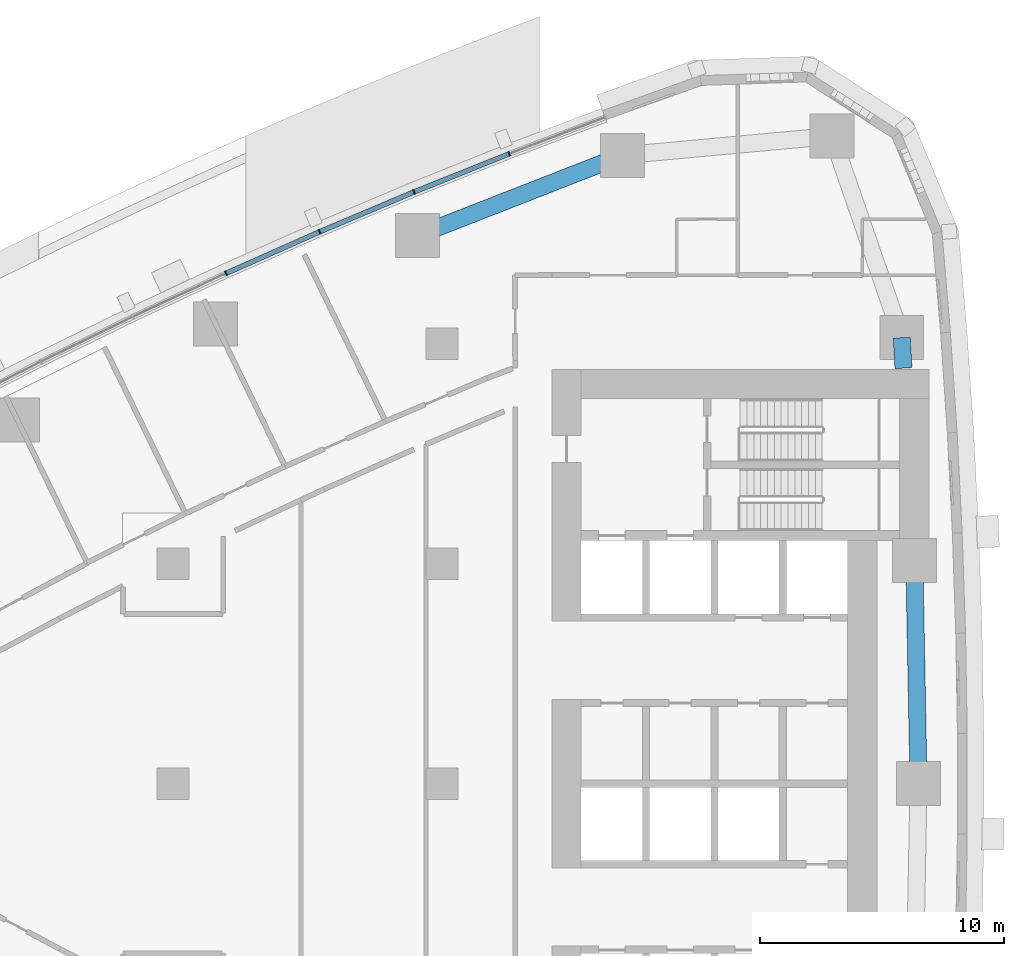
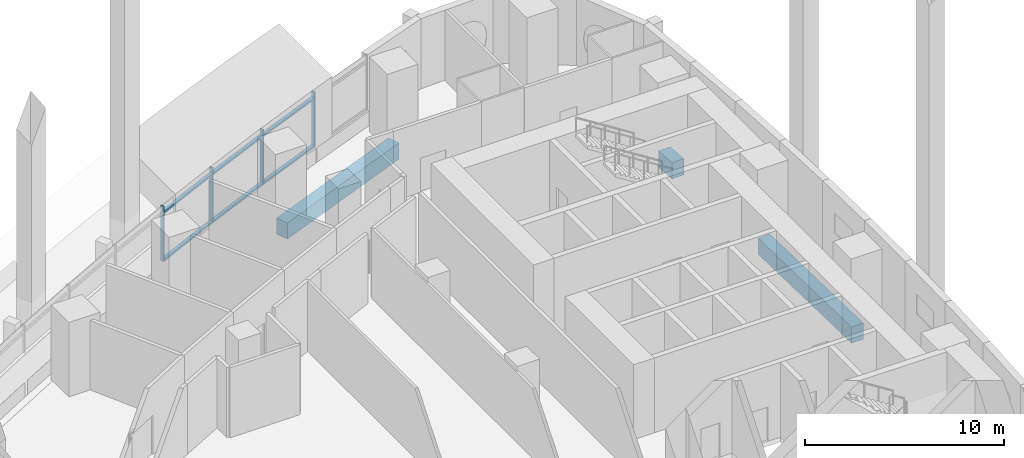
# One storey, part 6 of 20: 10 members, 3 beams, 2 elements without a shape of their own.
"""IFC4 building model written with IfcOpenShell, lengths in metres."""

from ifc_helpers import new_model, si_unit, direction, frame, origin, origin_2d, place, context, subcontext, project, spatial, rectangle, extrude, material, layer, layer_set, material_profile, profile_set, type_object, element, aggregate, save


model = new_model("IFC4")

# Units and contexts
model_context = context("Model", 3, precision=1e-05, world=origin(), true_north=direction((0.0, 1.0)))
body_context = subcontext(model_context, "Body", "Model", "MODEL_VIEW")
ifc_project = project(units=[si_unit("LENGTHUNIT", "METRE"), si_unit("AREAUNIT", "SQUARE_METRE"), si_unit("VOLUMEUNIT", "CUBIC_METRE"), si_unit("PLANEANGLEUNIT", "RADIAN"), si_unit("MASSUNIT", "GRAM", prefix="KILO")], contexts=[model_context])

# Site, building, storey
site_placement = place(None, origin())
site = spatial("IfcSite", under=ifc_project, at=site_placement, CompositionType="ELEMENT")
building_placement = place(site_placement, origin())
building = spatial("IfcBuilding", under=site, at=building_placement, Name="Ostrand Prow Hotel Tower", CompositionType="ELEMENT")
storey_placement = place(building_placement, frame((0.0, 0.0, 35.0)))
storey = spatial("IfcBuildingStorey", under=building, at=storey_placement, Name="L06", CompositionType="ELEMENT", Elevation=35.0)

# Beams
ifc_material_1 = material(Name="Concrete C80/95", Category="concrete")
ifc_material_profile_1 = material_profile(ifc_material_1, rectangle(XDim=0.699951171875, YDim=1.0, at=origin_2d()), Name="RC 700x1000")
ifc_profile_set_1 = profile_set([ifc_material_profile_1], Name="Concrete C80/95")
beam_type = type_object("IfcBeamType", Name="Edge beam 700x1000 C80/95", PredefinedType="SPANDREL", material=ifc_profile_set_1)
beam_1_placement = place(storey_placement, frame((64.5, 0.0, -0.800048828125), z_axis=(-0.018793471688, 0.999823387115, 0.0), x_axis=(-0.999823387115, -0.018793471688, 0.0)))
element("IfcBeam", 1, at=beam_1_placement, inside=storey, type_object=beam_type, Name="Edge beam B3-B4", PredefinedType="SPANDREL", context=body_context, shape_type="SweptSolid", body=[
    extrude(rectangle(XDim=0.699951171875, YDim=1.0, at=origin_2d()), origin(), (0.0, 0.0, 1.0), 9.132568359375),
])
beam_2_placement = place(storey_placement, frame((63.8837890625, 17.0, -0.800048828125), z_axis=(-0.056215946509, 0.998418633319, 0.0), x_axis=(-0.998418633319, -0.056215946509, 0.0)))
element("IfcBeam", 2, at=beam_2_placement, inside=storey, type_object=beam_type, Name="Edge beam B4-B5", PredefinedType="SPANDREL", context=body_context, shape_type="SweptSolid", body=[
    extrude(rectangle(XDim=0.699951171875, YDim=1.0, at=origin_2d()), origin(), (0.0, 0.0, 1.0), 1.250732421875),
])
beam_3_placement = place(storey_placement, frame((52.3916015625, 25.710205078125, -0.800048828125), z_axis=(-0.931329480916, -0.364177701098, 0.0), x_axis=(0.364177701098, -0.931329480916, 0.0)))
element("IfcBeam", 3, at=beam_3_placement, inside=storey, type_object=beam_type, Name="Edge beam N1-N2", PredefinedType="SPANDREL", context=body_context, shape_type="SweptSolid", body=[
    extrude(rectangle(XDim=0.699951171875, YDim=1.0, at=origin_2d()), origin(), (0.0, 0.0, 1.0), 9.0126953125),
])

# Curtain wall, members
ifc_material_2 = material(Name="Insulated glass in bronze anodised frame", Category="glass")
ifc_layer = layer(ifc_material_2, 0.199951171875)
ifc_layer_set = layer_set([ifc_layer], Name="Insulated glass in bronze anodised frame")
curtain_wall_type = type_object("IfcCurtainWallType", Name="Sky lobby full-height curtain wall", PredefinedType="NOTDEFINED", material=ifc_layer_set)
curtain_wall_1_placement = place(storey_placement, origin())
curtain_wall_1 = element("IfcCurtainWall", 4, at=curtain_wall_1_placement, inside=storey, type_object=curtain_wall_type, Name="CW3 run CWN1", PredefinedType="NOTDEFINED")
ifc_material_3 = material(Name="Bronze anodised aluminium", Category="aluminium")
ifc_material_profile_2 = material_profile(ifc_material_3, rectangle(XDim=0.199951171875, YDim=0.06005859375, at=origin_2d()), Name="Mullion 60x200 bronze anodised aluminium")
ifc_profile_set_2 = profile_set([ifc_material_profile_2], Name="Bronze anodised aluminium")
member_type_1 = type_object("IfcMemberType", Name="Mullion 60x200 bronze anodised aluminium", PredefinedType="MULLION", material=ifc_profile_set_2)
member_1_placement = place(storey_placement, frame((47.7529296875, 25.769775390625, 0.89990234375), z_axis=(0.0, 0.0, 1.0), x_axis=(0.371873380669, -0.928283463577, 0.0)))
member_1 = element("IfcMember", 5, at=member_1_placement, type_object=member_type_1, Name="CW3 mullion 2", PredefinedType="MULLION", context=body_context, shape_type="SweptSolid", body=[
    extrude(rectangle(XDim=0.199951171875, YDim=0.06005859375, at=origin_2d()), origin(), (0.0, 0.0, 1.0), 3.400146484375),
])
member_2_placement = place(storey_placement, frame((43.859619140625, 24.210205078125, 0.89990234375), z_axis=(0.0, 0.0, 1.0), x_axis=(0.371873380669, -0.928283463577, 0.0)))
member_2 = element("IfcMember", 6, at=member_2_placement, type_object=member_type_1, Name="CW3 mullion 3", PredefinedType="MULLION", context=body_context, shape_type="SweptSolid", body=[
    extrude(rectangle(XDim=0.199951171875, YDim=0.06005859375, at=origin_2d()), origin(), (0.0, 0.0, 1.0), 3.400146484375),
])

curtain_wall_2_placement = place(storey_placement, origin())
curtain_wall_2 = element("IfcCurtainWall", 7, at=curtain_wall_2_placement, inside=storey, type_object=curtain_wall_type, Name="CW3 run CWN2", PredefinedType="NOTDEFINED")
member_3_placement = place(storey_placement, frame((39.99560546875, 22.5791015625, 0.89990234375), z_axis=(0.0, 0.0, 1.0), x_axis=(0.405779757666, -0.913970890274, 0.0)))
member_3 = element("IfcMember", 8, at=member_3_placement, type_object=member_type_1, Name="CW3 mullion 2", PredefinedType="MULLION", context=body_context, shape_type="SweptSolid", body=[
    extrude(rectangle(XDim=0.199951171875, YDim=0.06005859375, at=origin_2d()), origin(), (0.0, 0.0, 1.0), 3.400146484375),
])
member_4_placement = place(storey_placement, frame((36.162109375, 20.876953125, 0.89990234375), z_axis=(0.0, 0.0, 1.0), x_axis=(0.405779757666, -0.913970890274, 0.0)))
member_4 = element("IfcMember", 9, at=member_4_placement, type_object=member_type_1, Name="CW3 mullion 3", PredefinedType="MULLION", context=body_context, shape_type="SweptSolid", body=[
    extrude(rectangle(XDim=0.199951171875, YDim=0.06005859375, at=origin_2d()), origin(), (0.0, 0.0, 1.0), 3.400146484375),
])

# Member
ifc_material_4 = material(Name="Bronze anodised aluminium", Category="aluminium")
ifc_material_profile_3 = material_profile(ifc_material_4, rectangle(XDim=0.199951171875, YDim=0.1201171875, at=origin_2d()), Name="Transom 120x200 bronze anodised aluminium")
ifc_profile_set_3 = profile_set([ifc_material_profile_3], Name="Bronze anodised aluminium")
member_type_2 = type_object("IfcMemberType", Name="Transom 120x200 bronze anodised aluminium", PredefinedType="USERDEFINED", material=ifc_profile_set_3)
member_5_placement = place(storey_placement, frame((47.72509765625, 25.7587890625, 0.9599609375), z_axis=(-0.928264761225, -0.371920062739, 0.0), x_axis=(0.371920062739, -0.928264761225, 0.0)))
member_5 = element("IfcMember", 10, at=member_5_placement, type_object=member_type_2, Name="CW3 transom 2.1", ObjectType="TRANSOM", PredefinedType="USERDEFINED", context=body_context, shape_type="SweptSolid", body=[
    extrude(rectangle(XDim=0.199951171875, YDim=0.1201171875, at=origin_2d()), origin(), (0.0, 0.0, 1.0), 4.13427734375),
])

member_6_placement = place(storey_placement, frame((47.72509765625, 25.7587890625, 3.89990234375), z_axis=(-0.928264761225, -0.371920062739, 0.0), x_axis=(0.371920062739, -0.928264761225, 0.0)))
member_6 = element("IfcMember", 11, at=member_6_placement, type_object=member_type_2, Name="CW3 transom 2.2", ObjectType="TRANSOM", PredefinedType="USERDEFINED", context=body_context, shape_type="SweptSolid", body=[
    extrude(rectangle(XDim=0.199951171875, YDim=0.1201171875, at=origin_2d()), origin(), (0.0, 0.0, 1.0), 4.13427734375),
])

aggregate(curtain_wall_1, [member_1, member_2, member_5, member_6])

member_7_placement = place(storey_placement, frame((43.831787109375, 24.198486328125, 0.9599609375), z_axis=(-0.921284828297, -0.388888499637, 0.0), x_axis=(0.388888499637, -0.921284828297, 0.0)))
member_7 = element("IfcMember", 12, at=member_7_placement, type_object=member_type_2, Name="CW3 transom 1.1", ObjectType="TRANSOM", PredefinedType="USERDEFINED", context=body_context, shape_type="SweptSolid", body=[
    extrude(rectangle(XDim=0.199951171875, YDim=0.1201171875, at=origin_2d()), origin(), (0.0, 0.0, 1.0), 4.134033203125),
])

member_8_placement = place(storey_placement, frame((43.831787109375, 24.198486328125, 3.89990234375), z_axis=(-0.921284828297, -0.388888499637, 0.0), x_axis=(0.388888499637, -0.921284828297, 0.0)))
member_8 = element("IfcMember", 13, at=member_8_placement, type_object=member_type_2, Name="CW3 transom 1.2", ObjectType="TRANSOM", PredefinedType="USERDEFINED", context=body_context, shape_type="SweptSolid", body=[
    extrude(rectangle(XDim=0.199951171875, YDim=0.1201171875, at=origin_2d()), origin(), (0.0, 0.0, 1.0), 4.134033203125),
])

member_9_placement = place(storey_placement, frame((39.968017578125, 22.56689453125, 0.9599609375), z_axis=(-0.913957599094, -0.405809693156, 0.0), x_axis=(0.405809693156, -0.913957599094, 0.0)))
member_9 = element("IfcMember", 14, at=member_9_placement, type_object=member_type_2, Name="CW3 transom 2.1", ObjectType="TRANSOM", PredefinedType="USERDEFINED", context=body_context, shape_type="SweptSolid", body=[
    extrude(rectangle(XDim=0.199951171875, YDim=0.1201171875, at=origin_2d()), origin(), (0.0, 0.0, 1.0), 4.13427734375),
])

member_10_placement = place(storey_placement, frame((39.968017578125, 22.56689453125, 3.89990234375), z_axis=(-0.913957599094, -0.405809693156, 0.0), x_axis=(0.405809693156, -0.913957599094, 0.0)))
member_10 = element("IfcMember", 15, at=member_10_placement, type_object=member_type_2, Name="CW3 transom 2.2", ObjectType="TRANSOM", PredefinedType="USERDEFINED", context=body_context, shape_type="SweptSolid", body=[
    extrude(rectangle(XDim=0.199951171875, YDim=0.1201171875, at=origin_2d()), origin(), (0.0, 0.0, 1.0), 4.13427734375),
])

aggregate(curtain_wall_2, [member_3, member_4, member_7, member_8, member_9, member_10])

save(model, "model.ifc")
